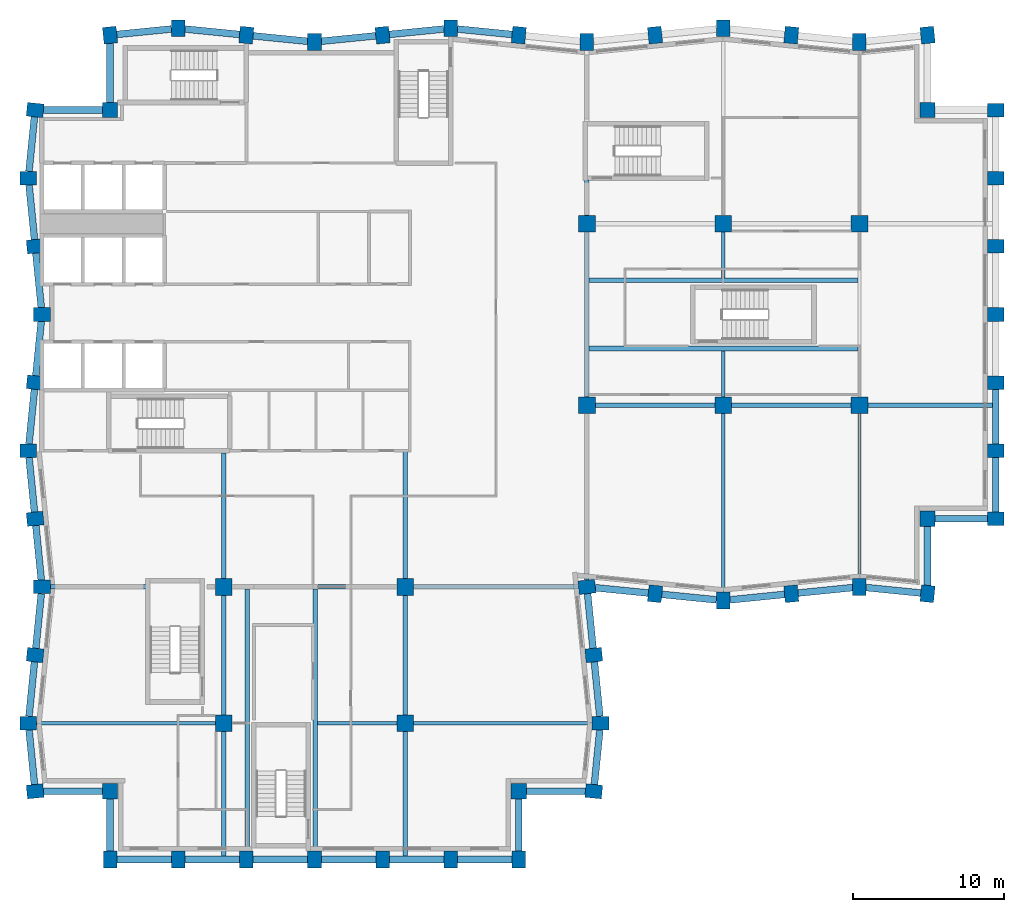
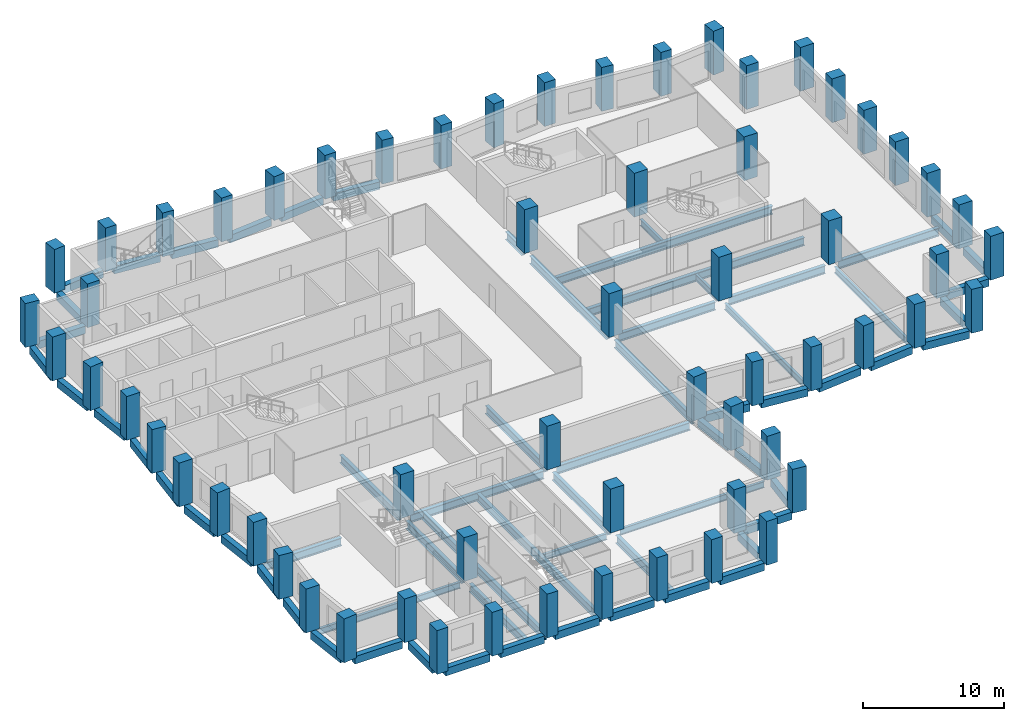
# One storey, part 1 of 10: 66 beams, 62 columns.
"""IFC4 building model written with IfcOpenShell, lengths in metres."""

from ifc_helpers import new_model, si_unit, direction, frame, origin, origin_2d, place, context, subcontext, project, spatial, rectangle, i_section, extrude, material, material_profile, profile_set, type_object, element, save


model = new_model("IFC4")

# Units and contexts
model_context = context("Model", 3, precision=1e-05, world=origin(), true_north=direction((0.0, 1.0)))
body_context = subcontext(model_context, "Body", "Model", "MODEL_VIEW")
ifc_project = project(units=[si_unit("LENGTHUNIT", "METRE"), si_unit("AREAUNIT", "SQUARE_METRE"), si_unit("VOLUMEUNIT", "CUBIC_METRE"), si_unit("PLANEANGLEUNIT", "RADIAN"), si_unit("MASSUNIT", "GRAM", prefix="KILO")], contexts=[model_context])

# Site, building, storey
site_placement = place(None, origin())
site = spatial("IfcSite", under=ifc_project, at=site_placement, CompositionType="ELEMENT")
building_placement = place(site_placement, origin())
building = spatial("IfcBuilding", under=site, at=building_placement, Name="Brondeck Convention Tower", CompositionType="ELEMENT")
storey_placement = place(building_placement, frame((0.0, 0.0, 177.60009765625)))
storey = spatial("IfcBuildingStorey", under=building, at=storey_placement, Name="L43", CompositionType="ELEMENT", Elevation=177.60009765625)

# Columns
ifc_material_1 = material(Name="Concrete C70/85", Category="concrete")
ifc_material_profile_1 = material_profile(ifc_material_1, rectangle(XDim=1.0, YDim=1.0, at=origin_2d()), Name="Corner column 1000x1000 Concrete C70/85")
ifc_profile_set_1 = profile_set([ifc_material_profile_1], Name="Concrete C70/85")
column_type_1 = type_object("IfcColumnType", Name="Corner column 1000x1000 Concrete C70/85", PredefinedType="COLUMN", material=ifc_profile_set_1)
for number, where, z_axis, x_axis, name in (
    (1, (4.5, 13.5, 0.0), (0.0, 0.0, 1.0), (1.0, 0.0, 0.0), "STR-COL-L43-NC-SWB9"),
    (2, (31.5, 13.5, 0.0), (0.0, 0.0, 1.0), (1.0, 0.0, 0.0), "STR-COL-L43-NC-SEB9"),
    (3, (58.5, 31.5, 0.0), (0.0, 0.0, 1.0), (1.0, 0.0, 0.0), "STR-COL-L43-NC-SEA63"),
    (4, (58.5, 58.5, 0.0), (0.0, 0.0, 1.0), (1.0, 0.0, 0.0), "STR-COL-L43-NC-NEA63"),
    (5, (4.5, 58.5, 0.0), (0.0, 0.0, 1.0), (1.0, 0.0, 0.0), "STR-COL-L43-NC-NW"),
):
    element("IfcColumn", number, at=place(storey_placement, frame(where, z_axis=z_axis, x_axis=x_axis)), inside=storey, type_object=column_type_1, Name=name, PredefinedType="COLUMN", context=body_context, shape_type="SweptSolid", body=[
        extrude(rectangle(XDim=1.0, YDim=1.0, at=origin_2d()), origin(), (0.0, 0.0, 1.0), 3.7998046875),
    ])
ifc_material_profile_2 = material_profile(ifc_material_1, rectangle(XDim=1.10009765625, YDim=1.10009765625, at=origin_2d()), Name="Interior column 1100x1100 Concrete C70/85")
ifc_profile_set_2 = profile_set([ifc_material_profile_2], Name="Concrete C70/85")
column_type_2 = type_object("IfcColumnType", Name="Interior column 1100x1100 Concrete C70/85", PredefinedType="COLUMN", material=ifc_profile_set_2)
for number, where, z_axis, x_axis, name in (
    (6, (12.0, 18.0, 0.0), (0.0, 0.0, 1.0), (1.0, 0.0, 0.0), "STR-COL-L43-IC-02"),
    (7, (12.0, 27.0, 0.0), (0.0, 0.0, 1.0), (1.0, 0.0, 0.0), "STR-COL-L43-IC-03"),
    (8, (24.0, 18.0, 0.0), (0.0, 0.0, 1.0), (1.0, 0.0, 0.0), "STR-COL-L43-IC-05"),
    (9, (24.0, 27.0, 0.0), (0.0, 0.0, 1.0), (1.0, 0.0, 0.0), "STR-COL-L43-IC-06"),
    (10, (36.0, 39.0, 0.0), (0.0, 0.0, 1.0), (1.0, 0.0, 0.0), "STR-COL-L43-IC-07"),
    (11, (36.0, 51.0, 0.0), (0.0, 0.0, 1.0), (1.0, 0.0, 0.0), "STR-COL-L43-IC-08"),
    (12, (45.0, 39.0, 0.0), (0.0, 0.0, 1.0), (1.0, 0.0, 0.0), "STR-COL-L43-IC-09"),
    (13, (45.0, 51.0, 0.0), (0.0, 0.0, 1.0), (1.0, 0.0, 0.0), "STR-COL-L43-IC-10"),
    (14, (54.0, 39.0, 0.0), (0.0, 0.0, 1.0), (1.0, 0.0, 0.0), "STR-COL-L43-IC-11"),
    (15, (54.0, 51.0, 0.0), (0.0, 0.0, 1.0), (1.0, 0.0, 0.0), "STR-COL-L43-IC-12"),
):
    element("IfcColumn", number, at=place(storey_placement, frame(where, z_axis=z_axis, x_axis=x_axis)), inside=storey, type_object=column_type_2, Name=name, PredefinedType="COLUMN", context=body_context, shape_type="SweptSolid", body=[
        extrude(rectangle(XDim=1.10009765625, YDim=1.10009765625, at=origin_2d()), origin(), (0.0, 0.0, 1.0), 3.7998046875),
    ])
ifc_material_profile_3 = material_profile(ifc_material_1, rectangle(XDim=0.89990234375, YDim=1.10009765625, at=origin_2d()), Name="Perimeter pier 900x1100 Concrete C70/85")
ifc_profile_set_3 = profile_set([ifc_material_profile_3], Name="Concrete C70/85")
column_type_3 = type_object("IfcColumnType", Name="Perimeter pier 900x1100 Concrete C70/85", PredefinedType="COLUMN", material=ifc_profile_set_3)
for number, where, z_axis, x_axis, name in (
    (16, (4.5, 9.0, 0.0), (0.0, 0.0, 1.0), (1.0, 0.0, 0.0), "STR-COL-L43-PC-B-S9-01"),
    (17, (9.0, 9.0, 0.0), (0.0, 0.0, 1.0), (1.0, 0.0, 0.0), "STR-COL-L43-PC-B-S9-02"),
    (18, (13.5, 9.0, 0.0), (0.0, 0.0, 1.0), (1.0, 0.0, 0.0), "STR-COL-L43-PC-B-S9-03"),
    (19, (18.0, 9.0, 0.0), (0.0, 0.0, 1.0), (1.0, 0.0, 0.0), "STR-COL-L43-PC-B-S9-04"),
    (20, (22.5, 9.0, 0.0), (0.0, 0.0, 1.0), (1.0, 0.0, 0.0), "STR-COL-L43-PC-B-S9-05"),
    (21, (27.0, 9.0, 0.0), (0.0, 0.0, 1.0), (1.0, 0.0, 0.0), "STR-COL-L43-PC-B-S9-06"),
    (22, (31.5, 9.0, 0.0), (0.0, 0.0, 1.0), (1.0, 0.0, 0.0), "STR-COL-L43-PC-B-S9-07"),
    (23, (36.449951171875, 13.5, 0.0), (0.0, 0.0, 1.0), (0.0995038382, 0.995037178292, 0.0), "STR-COL-L43-PC-B-E-03"),
    (24, (36.89990234375, 18.0, 0.0), (0.0, 0.0, 1.0), (0.0, 1.0, 0.0), "STR-COL-L43-PC-B-E-02"),
    (25, (36.449951171875, 22.5, 0.0), (0.0, 0.0, 1.0), (-0.0995038382, 0.995037178292, 0.0), "STR-COL-L43-PC-B-E-01"),
    (26, (36.0, 27.0, 0.0), (0.0, 0.0, 1.0), (-0.0995038382, 0.995037178292, 0.0), "STR-COL-L43-PC-B-E-00"),
    (27, (40.5, 26.550048828125, 0.0), (0.0, 0.0, 1.0), (0.995037178292, -0.0995038382, 0.0), "STR-COL-L43-PC-A-S-01"),
    (28, (45.0, 26.10009765625, 0.0), (0.0, 0.0, 1.0), (1.0, 0.0, 0.0), "STR-COL-L43-PC-A-S-02"),
    (29, (49.5, 26.550048828125, 0.0), (0.0, 0.0, 1.0), (0.995037178292, 0.0995038382, 0.0), "STR-COL-L43-PC-A-S-03"),
    (30, (54.0, 27.0, 0.0), (0.0, 0.0, 1.0), (1.0, 0.0, 0.0), "STR-COL-L43-PC-A-S-04"),
    (31, (58.5, 26.550048828125, 0.0), (0.0, 0.0, 1.0), (0.995037178292, -0.0995038382, 0.0), "STR-COL-L43-PC-A-S-05"),
    (32, (63.0, 31.5, 0.0), (0.0, 0.0, 1.0), (0.0, 1.0, 0.0), "STR-COL-L43-PC-A-E63-01"),
    (33, (63.0, 36.0, 0.0), (0.0, 0.0, 1.0), (0.0, 1.0, 0.0), "STR-COL-L43-PC-A-E63-02"),
    (34, (63.0, 40.5, 0.0), (0.0, 0.0, 1.0), (0.0, 1.0, 0.0), "STR-COL-L43-PC-A-E63-03"),
    (35, (63.0, 45.0, 0.0), (0.0, 0.0, 1.0), (0.0, 1.0, 0.0), "STR-COL-L43-PC-A-E63-04"),
    (36, (63.0, 49.5, 0.0), (0.0, 0.0, 1.0), (0.0, 1.0, 0.0), "STR-COL-L43-PC-A-E63-05"),
    (37, (63.0, 54.0, 0.0), (0.0, 0.0, 1.0), (0.0, 1.0, 0.0), "STR-COL-L43-PC-A-E63-06"),
    (38, (63.0, 58.5, 0.0), (0.0, 0.0, 1.0), (0.0, 1.0, 0.0), "STR-COL-L43-PC-A-E63-07"),
    (39, (58.5, 63.449951171875, 0.0), (0.0, 0.0, 1.0), (-0.995037178292, -0.0995038382, 0.0), "STR-COL-L43-PC-A-N-13"),
    (40, (54.0, 63.0, 0.0), (0.0, 0.0, 1.0), (-1.0, 0.0, 0.0), "STR-COL-L43-PC-A-N-12"),
    (41, (49.5, 63.449951171875, 0.0), (0.0, 0.0, 1.0), (-0.995037178292, 0.0995038382, 0.0), "STR-COL-L43-PC-A-N-11"),
    (42, (45.0, 63.89990234375, 0.0), (0.0, 0.0, 1.0), (-1.0, 0.0, 0.0), "STR-COL-L43-PC-A-N-10"),
    (43, (40.5, 63.449951171875, 0.0), (0.0, 0.0, 1.0), (-0.995037178292, -0.0995038382, 0.0), "STR-COL-L43-PC-A-N-09"),
    (44, (36.0, 63.0, 0.0), (0.0, 0.0, 1.0), (-1.0, 0.0, 0.0), "STR-COL-L43-PC-A-N-08"),
    (45, (31.5, 63.449951171875, 0.0), (0.0, 0.0, 1.0), (-0.995037178292, 0.0995038382, 0.0), "STR-COL-L43-PC-A-N-07"),
    (46, (27.0, 63.89990234375, 0.0), (0.0, 0.0, 1.0), (-1.0, 0.0, 0.0), "STR-COL-L43-PC-A-N-06"),
    (47, (22.5, 63.449951171875, 0.0), (0.0, 0.0, 1.0), (-0.995037178292, -0.0995038382, 0.0), "STR-COL-L43-PC-A-N-05"),
    (48, (18.0, 63.0, 0.0), (0.0, 0.0, 1.0), (-1.0, 0.0, 0.0), "STR-COL-L43-PC-A-N-04"),
    (49, (13.5, 63.449951171875, 0.0), (0.0, 0.0, 1.0), (-0.995037178292, 0.0995038382, 0.0), "STR-COL-L43-PC-A-N-03"),
    (50, (9.0, 63.89990234375, 0.0), (0.0, 0.0, 1.0), (-1.0, 0.0, 0.0), "STR-COL-L43-PC-A-N-02"),
    (51, (4.5, 63.449951171875, 0.0), (0.0, 0.0, 1.0), (-0.995037178292, -0.0995038382, 0.0), "STR-COL-L43-PC-A-N-01"),
    (52, (-0.449951171875, 58.5, 0.0), (0.0, 0.0, 1.0), (-0.0995038382, -0.995037178292, 0.0), "STR-COL-L43-PC-B-W-01"),
    (53, (-0.89990234375, 54.0, 0.0), (0.0, 0.0, 1.0), (0.0, -1.0, 0.0), "STR-COL-L43-PC-B-W-02"),
    (54, (-0.449951171875, 49.5, 0.0), (0.0, 0.0, 1.0), (0.0995038382, -0.995037178292, 0.0), "STR-COL-L43-PC-B-W-03"),
    (55, (0.0, 45.0, 0.0), (0.0, 0.0, 1.0), (0.0, -1.0, 0.0), "STR-COL-L43-PC-B-W-04"),
    (56, (-0.449951171875, 40.5, 0.0), (0.0, 0.0, 1.0), (-0.0995038382, -0.995037178292, 0.0), "STR-COL-L43-PC-B-W-05"),
    (57, (-0.89990234375, 36.0, 0.0), (0.0, 0.0, 1.0), (0.0, -1.0, 0.0), "STR-COL-L43-PC-B-W-06"),
    (58, (-0.449951171875, 31.5, 0.0), (0.0, 0.0, 1.0), (0.0995038382, -0.995037178292, 0.0), "STR-COL-L43-PC-B-W-07"),
    (59, (0.0, 27.0, 0.0), (0.0, 0.0, 1.0), (0.0, -1.0, 0.0), "STR-COL-L43-PC-B-W-08"),
    (60, (-0.449951171875, 22.5, 0.0), (0.0, 0.0, 1.0), (-0.0995038382, -0.995037178292, 0.0), "STR-COL-L43-PC-B-W-09"),
    (61, (-0.89990234375, 18.0, 0.0), (0.0, 0.0, 1.0), (0.0, -1.0, 0.0), "STR-COL-L43-PC-B-W-10"),
    (62, (-0.449951171875, 13.5, 0.0), (0.0, 0.0, 1.0), (0.0995038382, -0.995037178292, 0.0), "STR-COL-L43-PC-B-W-11"),
):
    element("IfcColumn", number, at=place(storey_placement, frame(where, z_axis=z_axis, x_axis=x_axis)), inside=storey, type_object=column_type_3, Name=name, PredefinedType="COLUMN", context=body_context, shape_type="SweptSolid", body=[
        extrude(rectangle(XDim=0.89990234375, YDim=1.10009765625, at=origin_2d()), origin(), (0.0, 0.0, 1.0), 3.7998046875),
    ])

# Beams
ifc_material_2 = material(Name="Steel S355", Category="steel")
ifc_material_profile_4 = material_profile(ifc_material_2, i_section(OverallWidth=0.2099609375, OverallDepth=0.550048828125, WebThickness=0.010986328125, FlangeThickness=0.01708984375, FilletRadius=0.02392578125, at=origin_2d()), Name="IPE 550")
ifc_profile_set_4 = profile_set([ifc_material_profile_4], Name="Steel S355")
beam_type_1 = type_object("IfcBeamType", Name="Floor beam IPE 550", PredefinedType="BEAM", material=ifc_profile_set_4)
beam_1_placement = place(storey_placement, frame((45.0, 26.64990234375, -0.5751953125), z_axis=(0.0, 1.0, 0.0), x_axis=(-1.0, 0.0, 0.0)))
element("IfcBeam", 63, at=beam_1_placement, inside=storey, type_object=beam_type_1, Name="STR-FB-L43-001", PredefinedType="BEAM", context=body_context, shape_type="SweptSolid", body=[
    extrude(i_section(OverallWidth=0.2099609375, OverallDepth=0.550048828125, WebThickness=0.010986328125, FlangeThickness=0.01708984375, FilletRadius=0.02392578125, at=origin_2d()), origin(), (0.0, 0.0, 1.0), 11.800048828125),
])
beam_2_placement = place(storey_placement, frame((54.0, 27.550048828125, -0.5751953125), z_axis=(0.0, 1.0, 0.0), x_axis=(-1.0, 0.0, 0.0)))
element("IfcBeam", 64, at=beam_2_placement, inside=storey, type_object=beam_type_1, Name="STR-FB-L43-003", PredefinedType="BEAM", context=body_context, shape_type="SweptSolid", body=[
    extrude(i_section(OverallWidth=0.2099609375, OverallDepth=0.550048828125, WebThickness=0.010986328125, FlangeThickness=0.01708984375, FilletRadius=0.02392578125, at=origin_2d()), origin(), (0.0, 0.0, 1.0), 10.89990234375),
])
for number, where, z_axis, x_axis, name in (
    (65, (-0.35009765625, 18.0, -0.5751953125), (1.0, 0.0, 0.0), (0.0, 1.0, 0.0), "STR-FB-L43-006"),
    (66, (24.550048828125, 18.0, -0.5751953125), (1.0, 0.0, 0.0), (0.0, 1.0, 0.0), "STR-FB-L43-007"),
):
    element("IfcBeam", number, at=place(storey_placement, frame(where, z_axis=z_axis, x_axis=x_axis)), inside=storey, type_object=beam_type_1, Name=name, PredefinedType="BEAM", context=body_context, shape_type="SweptSolid", body=[
        extrude(i_section(OverallWidth=0.2099609375, OverallDepth=0.550048828125, WebThickness=0.010986328125, FlangeThickness=0.01708984375, FilletRadius=0.02392578125, at=origin_2d()), origin(), (0.0, 0.0, 1.0), 11.800048828125),
    ])
for number, where, z_axis, x_axis, name in (
    (67, (45.0, 39.550048828125, -0.5751953125), (0.0, 1.0, 0.0), (-1.0, 0.0, 0.0), "STR-FB-L43-008"),
    (68, (45.0, 47.39990234375, -0.5751953125), (0.0, 1.0, 0.0), (-1.0, 0.0, 0.0), "STR-FB-L43-009"),
):
    element("IfcBeam", number, at=place(storey_placement, frame(where, z_axis=z_axis, x_axis=x_axis)), inside=storey, type_object=beam_type_1, Name=name, PredefinedType="BEAM", context=body_context, shape_type="SweptSolid", body=[
        extrude(i_section(OverallWidth=0.2099609375, OverallDepth=0.550048828125, WebThickness=0.010986328125, FlangeThickness=0.01708984375, FilletRadius=0.02392578125, at=origin_2d()), origin(), (0.0, 0.0, 1.0), 3.050048828125),
    ])
beam_3_placement = place(storey_placement, frame((18.199951171875, 18.0, -0.5751953125), z_axis=(1.0, 0.0, 0.0), x_axis=(0.0, 1.0, 0.0)))
element("IfcBeam", 69, at=beam_3_placement, inside=storey, type_object=beam_type_1, Name="STR-FB-L43-010", PredefinedType="BEAM", context=body_context, shape_type="SweptSolid", body=[
    extrude(i_section(OverallWidth=0.2099609375, OverallDepth=0.550048828125, WebThickness=0.010986328125, FlangeThickness=0.01708984375, FilletRadius=0.02392578125, at=origin_2d()), origin(), (0.0, 0.0, 1.0), 5.25),
])
ifc_material_profile_5 = material_profile(ifc_material_2, i_section(OverallWidth=0.300048828125, OverallDepth=0.699951171875, WebThickness=0.01708984375, FlangeThickness=0.031982421875, FilletRadius=0.027099609375, at=origin_2d()), Name="HEB 700")
ifc_profile_set_5 = profile_set([ifc_material_profile_5], Name="Steel S355")
beam_type_2 = type_object("IfcBeamType", Name="Girder HEB 700", PredefinedType="BEAM", material=ifc_profile_set_5)
for number, where, z_axis, x_axis, name in (
    (70, (36.550048828125, 39.0, -0.650146484375), (1.0, 0.0, 0.0), (0.0, 1.0, 0.0), "STR-GR-L43-001"),
    (71, (45.550048828125, 39.0, -0.650146484375), (1.0, 0.0, 0.0), (0.0, 1.0, 0.0), "STR-GR-L43-002"),
):
    element("IfcBeam", number, at=place(storey_placement, frame(where, z_axis=z_axis, x_axis=x_axis)), inside=storey, type_object=beam_type_2, Name=name, PredefinedType="BEAM", context=body_context, shape_type="SweptSolid", body=[
        extrude(i_section(OverallWidth=0.300048828125, OverallDepth=0.699951171875, WebThickness=0.01708984375, FlangeThickness=0.031982421875, FilletRadius=0.027099609375, at=origin_2d()), origin(), (0.0, 0.0, 1.0), 7.89990234375),
    ])
beam_4_placement = place(storey_placement, frame((54.550048828125, 39.0, -0.650146484375), z_axis=(1.0, 0.0, 0.0), x_axis=(0.0, 1.0, 0.0)))
element("IfcBeam", 72, at=beam_4_placement, inside=storey, type_object=beam_type_2, Name="STR-GR-L43-003", PredefinedType="BEAM", context=body_context, shape_type="SweptSolid", body=[
    extrude(i_section(OverallWidth=0.300048828125, OverallDepth=0.699951171875, WebThickness=0.01708984375, FlangeThickness=0.031982421875, FilletRadius=0.027099609375, at=origin_2d()), origin(), (0.0, 0.0, 1.0), 8.224853515625),
])
beam_5_placement = place(storey_placement, frame((36.0, 27.4521484375, -0.650146484375), z_axis=(0.0, 1.0, 0.0), x_axis=(-1.0, 0.0, 0.0)))
element("IfcBeam", 73, at=beam_5_placement, inside=storey, type_object=beam_type_2, Name="STR-GR-L43-007", PredefinedType="BEAM", context=body_context, shape_type="SweptSolid", body=[
    extrude(i_section(OverallWidth=0.300048828125, OverallDepth=0.699951171875, WebThickness=0.01708984375, FlangeThickness=0.031982421875, FilletRadius=0.027099609375, at=origin_2d()), origin(), (0.0, 0.0, 1.0), 10.997802734375),
])
beam_6_placement = place(storey_placement, frame((36.0, 39.550048828125, -0.650146484375), z_axis=(0.0, 1.0, 0.0), x_axis=(-1.0, 0.0, 0.0)))
element("IfcBeam", 74, at=beam_6_placement, inside=storey, type_object=beam_type_2, Name="STR-GR-L43-008", PredefinedType="BEAM", context=body_context, shape_type="SweptSolid", body=[
    extrude(i_section(OverallWidth=0.300048828125, OverallDepth=0.699951171875, WebThickness=0.01708984375, FlangeThickness=0.031982421875, FilletRadius=0.027099609375, at=origin_2d()), origin(), (0.0, 0.0, 1.0), 10.89990234375),
])
beam_7_placement = place(storey_placement, frame((36.0, 51.550048828125, -0.650146484375), z_axis=(0.0, 1.0, 0.0), x_axis=(-1.0, 0.0, 0.0)))
element("IfcBeam", 75, at=beam_7_placement, inside=storey, type_object=beam_type_2, Name="STR-GR-L43-009", PredefinedType="BEAM", context=body_context, shape_type="SweptSolid", body=[
    extrude(i_section(OverallWidth=0.300048828125, OverallDepth=0.699951171875, WebThickness=0.01708984375, FlangeThickness=0.031982421875, FilletRadius=0.027099609375, at=origin_2d()), origin(), (0.0, 0.0, 1.0), 2.329833984375),
])
beam_8_placement = place(storey_placement, frame((12.0, 35.85009765625, -0.650146484375), z_axis=(0.0, -1.0, 0.0), x_axis=(1.0, 0.0, 0.0)))
element("IfcBeam", 76, at=beam_8_placement, inside=storey, type_object=beam_type_2, Name="STR-GR-L43-011", PredefinedType="BEAM", context=body_context, shape_type="SweptSolid", body=[
    extrude(i_section(OverallWidth=0.300048828125, OverallDepth=0.699951171875, WebThickness=0.01708984375, FlangeThickness=0.031982421875, FilletRadius=0.027099609375, at=origin_2d()), origin(), (0.0, 0.0, 1.0), 8.300048828125),
])
beam_9_placement = place(storey_placement, frame((12.0, 26.449951171875, -0.650146484375), z_axis=(0.0, -1.0, 0.0), x_axis=(1.0, 0.0, 0.0)))
element("IfcBeam", 77, at=beam_9_placement, inside=storey, type_object=beam_type_2, Name="STR-GR-L43-012", PredefinedType="BEAM", context=body_context, shape_type="SweptSolid", body=[
    extrude(i_section(OverallWidth=0.300048828125, OverallDepth=0.699951171875, WebThickness=0.01708984375, FlangeThickness=0.031982421875, FilletRadius=0.027099609375, at=origin_2d()), origin(), (0.0, 0.0, 1.0), 7.89990234375),
])
beam_10_placement = place(storey_placement, frame((12.0, 17.449951171875, -0.650146484375), z_axis=(0.0, -1.0, 0.0), x_axis=(1.0, 0.0, 0.0)))
element("IfcBeam", 78, at=beam_10_placement, inside=storey, type_object=beam_type_2, Name="STR-GR-L43-013", PredefinedType="BEAM", context=body_context, shape_type="SweptSolid", body=[
    extrude(i_section(OverallWidth=0.300048828125, OverallDepth=0.699951171875, WebThickness=0.01708984375, FlangeThickness=0.031982421875, FilletRadius=0.027099609375, at=origin_2d()), origin(), (0.0, 0.0, 1.0), 8.224853515625),
])
beam_11_placement = place(storey_placement, frame((24.0, 35.955078125, -0.650146484375), z_axis=(0.0, -1.0, 0.0), x_axis=(1.0, 0.0, 0.0)))
element("IfcBeam", 79, at=beam_11_placement, inside=storey, type_object=beam_type_2, Name="STR-GR-L43-014", PredefinedType="BEAM", context=body_context, shape_type="SweptSolid", body=[
    extrude(i_section(OverallWidth=0.300048828125, OverallDepth=0.699951171875, WebThickness=0.01708984375, FlangeThickness=0.031982421875, FilletRadius=0.027099609375, at=origin_2d()), origin(), (0.0, 0.0, 1.0), 8.405029296875),
])
beam_12_placement = place(storey_placement, frame((24.0, 26.449951171875, -0.650146484375), z_axis=(0.0, -1.0, 0.0), x_axis=(1.0, 0.0, 0.0)))
element("IfcBeam", 80, at=beam_12_placement, inside=storey, type_object=beam_type_2, Name="STR-GR-L43-015", PredefinedType="BEAM", context=body_context, shape_type="SweptSolid", body=[
    extrude(i_section(OverallWidth=0.300048828125, OverallDepth=0.699951171875, WebThickness=0.01708984375, FlangeThickness=0.031982421875, FilletRadius=0.027099609375, at=origin_2d()), origin(), (0.0, 0.0, 1.0), 7.89990234375),
])
beam_13_placement = place(storey_placement, frame((24.0, 17.449951171875, -0.650146484375), z_axis=(0.0, -1.0, 0.0), x_axis=(1.0, 0.0, 0.0)))
element("IfcBeam", 81, at=beam_13_placement, inside=storey, type_object=beam_type_2, Name="STR-GR-L43-016", PredefinedType="BEAM", context=body_context, shape_type="SweptSolid", body=[
    extrude(i_section(OverallWidth=0.300048828125, OverallDepth=0.699951171875, WebThickness=0.01708984375, FlangeThickness=0.031982421875, FilletRadius=0.027099609375, at=origin_2d()), origin(), (0.0, 0.0, 1.0), 8.224853515625),
])
beam_14_placement = place(storey_placement, frame((0.550048828125, 27.0, -0.650146484375), z_axis=(1.0, 0.0, 0.0), x_axis=(0.0, 1.0, 0.0)))
element("IfcBeam", 82, at=beam_14_placement, inside=storey, type_object=beam_type_2, Name="STR-GR-L43-017", PredefinedType="BEAM", context=body_context, shape_type="SweptSolid", body=[
    extrude(i_section(OverallWidth=0.300048828125, OverallDepth=0.699951171875, WebThickness=0.01708984375, FlangeThickness=0.031982421875, FilletRadius=0.027099609375, at=origin_2d()), origin(), (0.0, 0.0, 1.0), 6.329833984375),
])
beam_15_placement = place(storey_placement, frame((12.550048828125, 27.0, -0.650146484375), z_axis=(1.0, 0.0, 0.0), x_axis=(0.0, 1.0, 0.0)))
element("IfcBeam", 83, at=beam_15_placement, inside=storey, type_object=beam_type_2, Name="STR-GR-L43-018", PredefinedType="BEAM", context=body_context, shape_type="SweptSolid", body=[
    extrude(i_section(OverallWidth=0.300048828125, OverallDepth=0.699951171875, WebThickness=0.01708984375, FlangeThickness=0.031982421875, FilletRadius=0.027099609375, at=origin_2d()), origin(), (0.0, 0.0, 1.0), 10.89990234375),
])
beam_16_placement = place(storey_placement, frame((24.550048828125, 27.0, -0.650146484375), z_axis=(1.0, 0.0, 0.0), x_axis=(0.0, 1.0, 0.0)))
element("IfcBeam", 84, at=beam_16_placement, inside=storey, type_object=beam_type_2, Name="STR-GR-L43-019", PredefinedType="BEAM", context=body_context, shape_type="SweptSolid", body=[
    extrude(i_section(OverallWidth=0.300048828125, OverallDepth=0.699951171875, WebThickness=0.01708984375, FlangeThickness=0.031982421875, FilletRadius=0.027099609375, at=origin_2d()), origin(), (0.0, 0.0, 1.0), 10.897216796875),
])
for number, where, z_axis, x_axis, name in (
    (85, (36.14990234375, 42.75, -0.650146484375), (1.0, 0.0, 0.0), (0.0, 1.0, 0.0), "STR-GR-L43-020"),
    (86, (36.14990234375, 47.25, -0.650146484375), (1.0, 0.0, 0.0), (0.0, 1.0, 0.0), "STR-GR-L43-021"),
):
    element("IfcBeam", number, at=place(storey_placement, frame(where, z_axis=z_axis, x_axis=x_axis)), inside=storey, type_object=beam_type_2, Name=name, PredefinedType="BEAM", context=body_context, shape_type="SweptSolid", body=[
        extrude(i_section(OverallWidth=0.300048828125, OverallDepth=0.699951171875, WebThickness=0.01708984375, FlangeThickness=0.031982421875, FilletRadius=0.027099609375, at=origin_2d()), origin(), (0.0, 0.0, 1.0), 17.7451171875),
    ])
for number, where, z_axis, x_axis, name in (
    (87, (13.550048828125, 9.550048828125, -0.650146484375), (0.0, 1.0, 0.0), (-1.0, 0.0, 0.0), "STR-GR-L43-022"),
    (88, (18.050048828125, 9.550048828125, -0.650146484375), (0.0, 1.0, 0.0), (-1.0, 0.0, 0.0), "STR-GR-L43-023"),
):
    element("IfcBeam", number, at=place(storey_placement, frame(where, z_axis=z_axis, x_axis=x_axis)), inside=storey, type_object=beam_type_2, Name=name, PredefinedType="BEAM", context=body_context, shape_type="SweptSolid", body=[
        extrude(i_section(OverallWidth=0.300048828125, OverallDepth=0.699951171875, WebThickness=0.01708984375, FlangeThickness=0.031982421875, FilletRadius=0.027099609375, at=origin_2d()), origin(), (0.0, 0.0, 1.0), 17.300048828125),
    ])
ifc_material_profile_6 = material_profile(ifc_material_1, rectangle(XDim=0.449951171875, YDim=0.64990234375, at=origin_2d()), Name="Precast spandrel 450x650 Concrete C70/85")
ifc_profile_set_6 = profile_set([ifc_material_profile_6], Name="Concrete C70/85")
beam_type_3 = type_object("IfcBeamType", Name="Precast spandrel 450x650 Concrete C70/85", PredefinedType="SPANDREL", material=ifc_profile_set_6)
for number, where, z_axis, x_axis, name in (
    (89, (4.949951171875, 9.0, -0.3251953125), (1.0, 0.0, 0.0), (0.0, 1.0, 0.0), "STR-SP-L43-001"),
    (90, (9.449951171875, 9.0, -0.3251953125), (1.0, 0.0, 0.0), (0.0, 1.0, 0.0), "STR-SP-L43-002"),
    (91, (13.949951171875, 9.0, -0.3251953125), (1.0, 0.0, 0.0), (0.0, 1.0, 0.0), "STR-SP-L43-003"),
    (92, (18.449951171875, 9.0, -0.3251953125), (1.0, 0.0, 0.0), (0.0, 1.0, 0.0), "STR-SP-L43-004"),
    (93, (22.949951171875, 9.0, -0.3251953125), (1.0, 0.0, 0.0), (0.0, 1.0, 0.0), "STR-SP-L43-005"),
    (94, (27.449951171875, 9.0, -0.3251953125), (1.0, 0.0, 0.0), (0.0, 1.0, 0.0), "STR-SP-L43-006"),
):
    element("IfcBeam", number, at=place(storey_placement, frame(where, z_axis=z_axis, x_axis=x_axis)), inside=storey, type_object=beam_type_3, Name=name, PredefinedType="SPANDREL", context=body_context, shape_type="SweptSolid", body=[
        extrude(rectangle(XDim=0.449951171875, YDim=0.64990234375, at=origin_2d()), origin(), (0.0, 0.0, 1.0), 3.60009765625),
    ])
beam_17_placement = place(storey_placement, frame((31.5, 9.550048828125, -0.3251953125), z_axis=(0.0, 1.0, 0.0), x_axis=(-1.0, 0.0, 0.0)))
element("IfcBeam", 95, at=beam_17_placement, inside=storey, type_object=beam_type_3, Name="STR-SP-L43-007", PredefinedType="SPANDREL", context=body_context, shape_type="SweptSolid", body=[
    extrude(rectangle(XDim=0.449951171875, YDim=0.64990234375, at=origin_2d()), origin(), (0.0, 0.0, 1.0), 3.449951171875),
])
beam_18_placement = place(storey_placement, frame((32.0, 13.5, -0.3251953125), z_axis=(1.0, 0.0, 0.0), x_axis=(0.0, 1.0, 0.0)))
element("IfcBeam", 96, at=beam_18_placement, inside=storey, type_object=beam_type_3, Name="STR-SP-L43-008", PredefinedType="SPANDREL", context=body_context, shape_type="SweptSolid", body=[
    extrude(rectangle(XDim=0.449951171875, YDim=0.64990234375, at=origin_2d()), origin(), (0.0, 0.0, 1.0), 3.897216796875),
])
for number, where, z_axis, x_axis, name in (
    (97, (36.494873046875, 13.94775390625, -0.3251953125), (0.099470334057, 0.995040528141, 0.0), (-0.995040528141, 0.099470334057, 0.0), "STR-SP-L43-009"),
    (98, (36.85498046875, 18.449951171875, -0.3251953125), (-0.099470334057, 0.995040528141, 0.0), (-0.995040528141, -0.099470334057, 0.0), "STR-SP-L43-010"),
):
    element("IfcBeam", number, at=place(storey_placement, frame(where, z_axis=z_axis, x_axis=x_axis)), inside=storey, type_object=beam_type_3, Name=name, PredefinedType="SPANDREL", context=body_context, shape_type="SweptSolid", body=[
        extrude(rectangle(XDim=0.449951171875, YDim=0.64990234375, at=origin_2d()), origin(), (0.0, 0.0, 1.0), 3.620361328125),
    ])
beam_19_placement = place(storey_placement, frame((36.4052734375, 22.94775390625, -0.3251953125), z_axis=(-0.099543756114, 0.995033185687, 0.0), x_axis=(-0.995033185687, -0.099543756114, 0.0)))
element("IfcBeam", 99, at=beam_19_placement, inside=storey, type_object=beam_type_3, Name="STR-SP-L43-011", PredefinedType="SPANDREL", context=body_context, shape_type="SweptSolid", body=[
    extrude(rectangle(XDim=0.449951171875, YDim=0.64990234375, at=origin_2d()), origin(), (0.0, 0.0, 1.0), 3.62255859375),
])
beam_20_placement = place(storey_placement, frame((36.558349609375, 26.944091796875, -0.3251953125), z_axis=(0.995037878598, -0.099496834901, 0.0), x_axis=(0.099496834901, 0.995037878598, 0.0)))
element("IfcBeam", 100, at=beam_20_placement, inside=storey, type_object=beam_type_3, Name="STR-SP-L43-012", PredefinedType="SPANDREL", context=body_context, shape_type="SweptSolid", body=[
    extrude(rectangle(XDim=0.449951171875, YDim=0.64990234375, at=origin_2d()), origin(), (0.0, 0.0, 1.0), 3.51123046875),
])
for number, where, z_axis, x_axis, name in (
    (101, (40.94775390625, 26.505126953125, -0.3251953125), (0.995040528141, -0.099470334057, 0.0), (0.099470334057, 0.995040528141, 0.0), "STR-SP-L43-013"),
    (102, (45.449951171875, 26.14501953125, -0.3251953125), (0.995040528141, 0.099470334057, 0.0), (-0.099470334057, 0.995040528141, 0.0), "STR-SP-L43-014"),
    (103, (49.94775390625, 26.5947265625, -0.3251953125), (0.995033851182, 0.099537103649, 0.0), (-0.099537103649, 0.995033851182, 0.0), "STR-SP-L43-015"),
    (104, (54.449951171875, 26.955078125, -0.3251953125), (0.995033851182, -0.099537103649, 0.0), (0.099537103649, 0.995033851182, 0.0), "STR-SP-L43-016"),
):
    element("IfcBeam", number, at=place(storey_placement, frame(where, z_axis=z_axis, x_axis=x_axis)), inside=storey, type_object=beam_type_3, Name=name, PredefinedType="SPANDREL", context=body_context, shape_type="SweptSolid", body=[
        extrude(rectangle(XDim=0.449951171875, YDim=0.64990234375, at=origin_2d()), origin(), (0.0, 0.0, 1.0), 3.620361328125),
    ])
beam_21_placement = place(storey_placement, frame((58.5, 27.102783203125, -0.3251953125), z_axis=(0.0, 1.0, 0.0), x_axis=(-1.0, 0.0, 0.0)))
element("IfcBeam", 105, at=beam_21_placement, inside=storey, type_object=beam_type_3, Name="STR-SP-L43-017", PredefinedType="SPANDREL", context=body_context, shape_type="SweptSolid", body=[
    extrude(rectangle(XDim=0.449951171875, YDim=0.64990234375, at=origin_2d()), origin(), (0.0, 0.0, 1.0), 3.897216796875),
])
beam_22_placement = place(storey_placement, frame((59.0, 31.5, -0.3251953125), z_axis=(1.0, 0.0, 0.0), x_axis=(0.0, 1.0, 0.0)))
element("IfcBeam", 106, at=beam_22_placement, inside=storey, type_object=beam_type_3, Name="STR-SP-L43-018", PredefinedType="SPANDREL", context=body_context, shape_type="SweptSolid", body=[
    extrude(rectangle(XDim=0.449951171875, YDim=0.64990234375, at=origin_2d()), origin(), (0.0, 0.0, 1.0), 3.449951171875),
])
for number, where, z_axis, x_axis, name in (
    (107, (63.0, 31.949951171875, -0.3251953125), (0.0, 1.0, 0.0), (-1.0, 0.0, 0.0), "STR-SP-L43-019"),
    (108, (63.0, 36.449951171875, -0.3251953125), (0.0, 1.0, 0.0), (-1.0, 0.0, 0.0), "STR-SP-L43-020"),
):
    element("IfcBeam", number, at=place(storey_placement, frame(where, z_axis=z_axis, x_axis=x_axis)), inside=storey, type_object=beam_type_3, Name=name, PredefinedType="SPANDREL", context=body_context, shape_type="SweptSolid", body=[
        extrude(rectangle(XDim=0.449951171875, YDim=0.64990234375, at=origin_2d()), origin(), (0.0, 0.0, 1.0), 3.60009765625),
    ])
for number, where, z_axis, x_axis, name in (
    (109, (31.05224609375, 63.494873046875, -0.3251953125), (-0.995040528141, 0.099470334057, 0.0), (-0.099470334057, -0.995040528141, 0.0), "STR-SP-L43-033"),
    (110, (26.550048828125, 63.85498046875, -0.3251953125), (-0.995040528141, -0.099470334057, 0.0), (0.099470334057, -0.995040528141, 0.0), "STR-SP-L43-034"),
    (111, (22.05224609375, 63.4052734375, -0.3251953125), (-0.995033851182, -0.099537103649, 0.0), (0.099537103649, -0.995033851182, 0.0), "STR-SP-L43-035"),
    (112, (17.550048828125, 63.044921875, -0.3251953125), (-0.995033851182, 0.099537103649, 0.0), (-0.099537103649, -0.995033851182, 0.0), "STR-SP-L43-036"),
    (113, (13.05224609375, 63.494873046875, -0.3251953125), (-0.995040528141, 0.099470334057, 0.0), (-0.099470334057, -0.995040528141, 0.0), "STR-SP-L43-037"),
    (114, (8.550048828125, 63.85498046875, -0.3251953125), (-0.995040528141, -0.099470334057, 0.0), (0.099470334057, -0.995040528141, 0.0), "STR-SP-L43-038"),
):
    element("IfcBeam", number, at=place(storey_placement, frame(where, z_axis=z_axis, x_axis=x_axis)), inside=storey, type_object=beam_type_3, Name=name, PredefinedType="SPANDREL", context=body_context, shape_type="SweptSolid", body=[
        extrude(rectangle(XDim=0.449951171875, YDim=0.64990234375, at=origin_2d()), origin(), (0.0, 0.0, 1.0), 3.620361328125),
    ])
for number, where, z_axis, x_axis, name in (
    (115, (4.5, 62.897216796875, -0.3251953125), (0.0, -1.0, 0.0), (1.0, 0.0, 0.0), "STR-SP-L43-039"),
    (116, (4.0, 58.5, -0.3251953125), (-1.0, 0.0, 0.0), (0.0, -1.0, 0.0), "STR-SP-L43-040"),
):
    element("IfcBeam", number, at=place(storey_placement, frame(where, z_axis=z_axis, x_axis=x_axis)), inside=storey, type_object=beam_type_3, Name=name, PredefinedType="SPANDREL", context=body_context, shape_type="SweptSolid", body=[
        extrude(rectangle(XDim=0.449951171875, YDim=0.64990234375, at=origin_2d()), origin(), (0.0, 0.0, 1.0), 3.897216796875),
    ])
for number, where, z_axis, x_axis, name in (
    (117, (-0.494873046875, 58.05224609375, -0.3251953125), (-0.099470334057, -0.995040528141, 0.0), (0.995040528141, -0.099470334057, 0.0), "STR-SP-L43-041"),
    (118, (-0.85498046875, 53.550048828125, -0.3251953125), (0.099470334057, -0.995040528141, 0.0), (0.995040528141, 0.099470334057, 0.0), "STR-SP-L43-042"),
    (119, (-0.4052734375, 49.05224609375, -0.3251953125), (0.099537103649, -0.995033851182, 0.0), (0.995033851182, 0.099537103649, 0.0), "STR-SP-L43-043"),
    (120, (-0.044921875, 44.550048828125, -0.3251953125), (-0.099537103649, -0.995033851182, 0.0), (0.995033851182, -0.099537103649, 0.0), "STR-SP-L43-044"),
    (121, (-0.494873046875, 40.05224609375, -0.3251953125), (-0.099470334057, -0.995040528141, 0.0), (0.995040528141, -0.099470334057, 0.0), "STR-SP-L43-045"),
    (122, (-0.85498046875, 35.550048828125, -0.3251953125), (0.099470334057, -0.995040528141, 0.0), (0.995040528141, 0.099470334057, 0.0), "STR-SP-L43-046"),
    (123, (-0.4052734375, 31.05224609375, -0.3251953125), (0.099537103649, -0.995033851182, 0.0), (0.995033851182, 0.099537103649, 0.0), "STR-SP-L43-047"),
    (124, (-0.044921875, 26.550048828125, -0.3251953125), (-0.099537103649, -0.995033851182, 0.0), (0.995033851182, -0.099537103649, 0.0), "STR-SP-L43-048"),
    (125, (-0.494873046875, 22.05224609375, -0.3251953125), (-0.099470334057, -0.995040528141, 0.0), (0.995040528141, -0.099470334057, 0.0), "STR-SP-L43-049"),
    (126, (-0.85498046875, 17.550048828125, -0.3251953125), (0.099470334057, -0.995040528141, 0.0), (0.995040528141, 0.099470334057, 0.0), "STR-SP-L43-050"),
):
    element("IfcBeam", number, at=place(storey_placement, frame(where, z_axis=z_axis, x_axis=x_axis)), inside=storey, type_object=beam_type_3, Name=name, PredefinedType="SPANDREL", context=body_context, shape_type="SweptSolid", body=[
        extrude(rectangle(XDim=0.449951171875, YDim=0.64990234375, at=origin_2d()), origin(), (0.0, 0.0, 1.0), 3.620361328125),
    ])
beam_23_placement = place(storey_placement, frame((0.102783203125, 13.5, -0.3251953125), z_axis=(1.0, 0.0, 0.0), x_axis=(0.0, 1.0, 0.0)))
element("IfcBeam", 127, at=beam_23_placement, inside=storey, type_object=beam_type_3, Name="STR-SP-L43-051", PredefinedType="SPANDREL", context=body_context, shape_type="SweptSolid", body=[
    extrude(rectangle(XDim=0.449951171875, YDim=0.64990234375, at=origin_2d()), origin(), (0.0, 0.0, 1.0), 3.897216796875),
])
beam_24_placement = place(storey_placement, frame((4.5, 13.0, -0.3251953125), z_axis=(0.0, -1.0, 0.0), x_axis=(1.0, 0.0, 0.0)))
element("IfcBeam", 128, at=beam_24_placement, inside=storey, type_object=beam_type_3, Name="STR-SP-L43-052", PredefinedType="SPANDREL", context=body_context, shape_type="SweptSolid", body=[
    extrude(rectangle(XDim=0.449951171875, YDim=0.64990234375, at=origin_2d()), origin(), (0.0, 0.0, 1.0), 3.449951171875),
])

save(model, "model.ifc")
